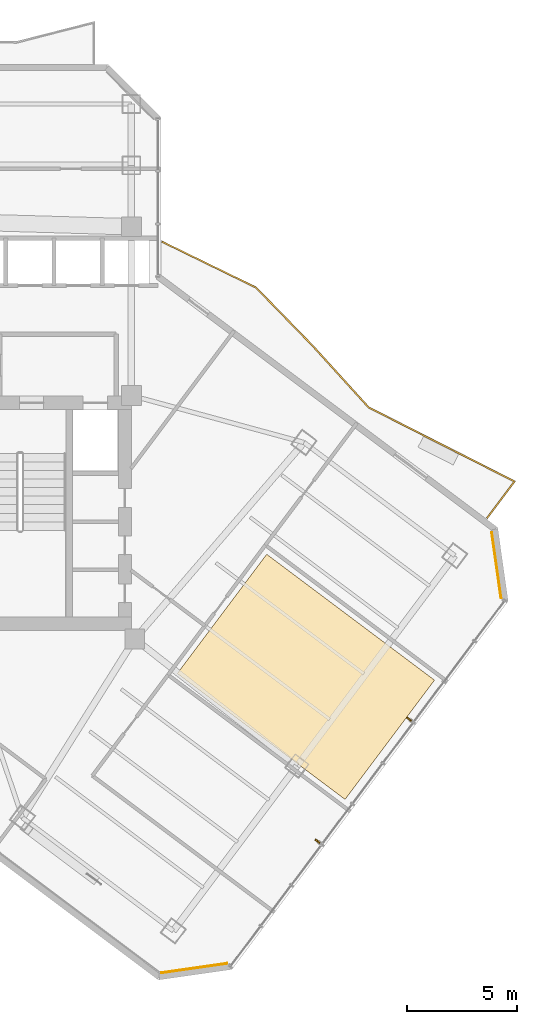
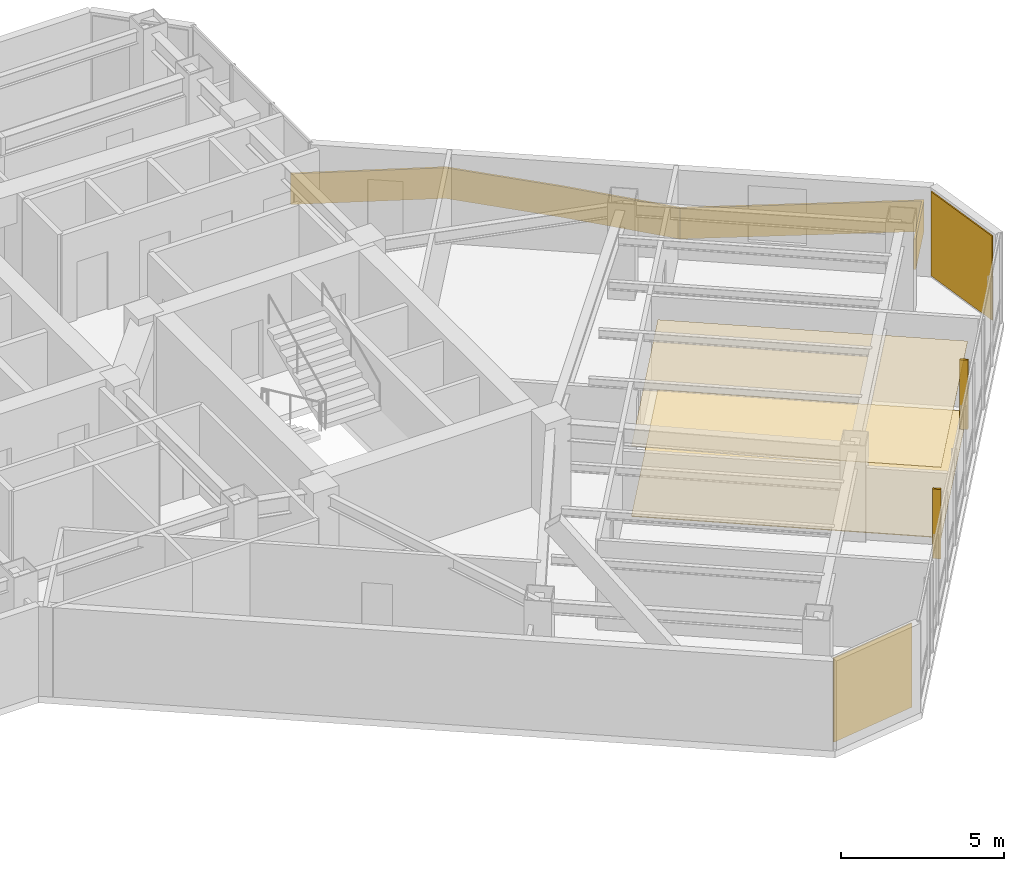
# One storey, part 27 of 28: 4 coverings, 2 shading devices, 1 railing.
"""IFC4 building model written with IfcOpenShell, lengths in metres."""

from ifc_helpers import new_model, si_unit, direction, frame, origin, origin_2d, place, context, subcontext, project, spatial, polyline, rectangle, outline, extrude, material, layer, layer_set, type_object, element, save


model = new_model("IFC4")

# Units and contexts
model_context = context("Model", 3, precision=1e-05, world=origin(), true_north=direction((0.0, 1.0)))
body_context = subcontext(model_context, "Body", "Model", "MODEL_VIEW")
ifc_project = project(units=[si_unit("LENGTHUNIT", "METRE"), si_unit("AREAUNIT", "SQUARE_METRE"), si_unit("VOLUMEUNIT", "CUBIC_METRE"), si_unit("PLANEANGLEUNIT", "RADIAN"), si_unit("MASSUNIT", "GRAM", prefix="KILO")], contexts=[model_context])

# Site, building, storey
site_placement = place(None, origin())
site = spatial("IfcSite", under=ifc_project, at=site_placement, CompositionType="ELEMENT")
building_placement = place(site_placement, origin())
building = spatial("IfcBuilding", under=site, at=building_placement, Name="Hatsunagi Terrace Concourse", CompositionType="ELEMENT")
storey_placement = place(building_placement, frame((0.0, 0.0, 160.050048828125)))
storey = spatial("IfcBuildingStorey", under=building, at=storey_placement, Name="L42", CompositionType="ELEMENT", Elevation=160.050048828125)

# Covering
ifc_material_1 = material(Name="Acoustic mineral board", Category="gypsum")
ifc_layer_1 = layer(ifc_material_1, 0.02001953125)
ifc_layer_set_1 = layer_set([ifc_layer_1], Name="AcousticMineralCeiling_20")
covering_type_1 = type_object("IfcCoveringType", Name="AcousticMineralCeiling_20", PredefinedType="CEILING", material=ifc_layer_set_1)
covering_1_placement = place(storey_placement, frame((0.0, 0.0, 2.6298828125)))
element("IfcCovering", 1, at=covering_1_placement, inside=storey, type_object=covering_type_1, Name="Suspended Ceiling L42-2", PredefinedType="CEILING", context=body_context, shape_type="SweptSolid", body=[
    extrude(outline(polyline([(57.47607421875, 22.318115234375), (49.820068359375, 28.06005859375), (45.739990234375, 22.6201171875), (53.39599609375, 16.8779296875), (57.47607421875, 22.318115234375)])), origin(), (0.0, 0.0, 1.0), 0.02001953125),
])

# Railing
ifc_material_2 = material(Name="Laminated Glass and Stainless Steel Guard", Category="steel")
ifc_layer_2 = layer(ifc_material_2, 0.070068359375)
ifc_layer_set_2 = layer_set([ifc_layer_2], Name="BalconyGlassGuardRail_1150")
railing_type = type_object("IfcRailingType", Name="BalconyGlassGuardRail_1150", PredefinedType="BALUSTRADE", material=ifc_layer_set_2)
railing_placement = place(storey_placement, origin())
element("IfcRailing", 2, at=railing_placement, inside=storey, type_object=railing_type, Name="Engawa Balcony Guard GRD-01 L42-BSE-1", PredefinedType="BALUSTRADE", context=body_context, shape_type="SweptSolid", body=[
    extrude(outline(polyline([(45.061279296875, 42.353515625), (45.03076171875, 42.29052734375), (49.30517578125, 40.205078125), (51.905517578125, 37.531982421875), (54.448486328125, 34.732666015625), (61.071044921875, 31.36962890625), (59.842041015625, 29.73095703125), (59.89794921875, 29.68896484375), (61.177001953125, 31.394287109375), (54.49169921875, 34.789306640625), (51.95654296875, 37.580078125), (49.3466796875, 40.2626953125), (45.061279296875, 42.353515625)])), origin(), (0.0, 0.0, 1.0), 1.14990234375),
])

# Covering
ifc_material_3 = material(Name="Granite stone paving", Category="masonry")
ifc_layer_3 = layer(ifc_material_3, 0.02490234375)
ifc_layer_set_3 = layer_set([ifc_layer_3], Name="GraniteStoneFlooring_25")
covering_type_2 = type_object("IfcCoveringType", Name="GraniteStoneFlooring_25", PredefinedType="FLOORING", material=ifc_layer_set_3)
covering_2_placement = place(storey_placement, origin())
element("IfcCovering", 3, at=covering_2_placement, inside=storey, type_object=covering_type_2, Name="Finished Flooring L42-2", PredefinedType="FLOORING", context=body_context, shape_type="SweptSolid", body=[
    extrude(outline(polyline([(57.47607421875, 22.318115234375), (49.820068359375, 28.06005859375), (45.739990234375, 22.6201171875), (53.39599609375, 16.8779296875), (57.47607421875, 22.318115234375)])), origin(), (0.0, 0.0, 1.0), 0.02490234375),
])

# Shading devices
ifc_material_4 = material(Name="Extruded Unglazed Terracotta Baguette", Category="masonry")
shading_device_type = type_object("IfcShadingDeviceType", Name="TerracottaFinScreen_260x70", PredefinedType="USERDEFINED", material=ifc_material_4)
for number, where, z_axis, x_axis, name in (
    (4, (56.31591796875, 20.5390625, 0.849853515625), (0.0, 0.0, 1.0), (-0.599969314634, -0.800023013105, 0.0), "Terracotta Baguette Fin Screen SCR-01"),
    (5, (52.139892578125, 14.968994140625, 0.849853515625), (0.0, 0.0, 1.0), (-0.599969314634, -0.800023013105, 0.0), "Terracotta Baguette Fin Screen SCR-01"),
):
    element("IfcShadingDevice", number, at=place(storey_placement, frame(where, z_axis=z_axis, x_axis=x_axis)), inside=storey, type_object=shading_device_type, Name=name, ObjectType="SUNSHADE", PredefinedType="USERDEFINED", context=body_context, shape_type="SweptSolid", body=[
        extrude(rectangle(XDim=0.070068359375, YDim=0.260009765625, at=origin_2d()), origin(), (0.0, 0.0, 1.0), 2.60009765625),
    ])

# Coverings
ifc_material_5 = material(Name="Unglazed Warm Terracotta Rainscreen Tile", Category="masonry")
ifc_layer_4 = layer(ifc_material_5, 0.044921875)
ifc_layer_set_4 = layer_set([ifc_layer_4], Name="TerracottaRainscreenCladding_45")
covering_type_3 = type_object("IfcCoveringType", Name="TerracottaRainscreenCladding_45", PredefinedType="CLADDING", material=ifc_layer_set_4)
for number, where, z_axis, x_axis, name in (
    (6, (60.301025390625, 27.55810546875, 0.10009765625), (0.0, 0.0, 1.0), (0.141250262458, -0.989973920543, 0.0), "Terracotta Rainscreen Cladding L42-02"),
    (7, (46.51806640625, 9.178955078125, 0.10009765625), (0.0, 0.0, 1.0), (-0.989973920543, -0.141250262458, 0.0), "Terracotta Rainscreen Cladding L42-04"),
):
    element("IfcCovering", number, at=place(storey_placement, frame(where, z_axis=z_axis, x_axis=x_axis)), inside=storey, type_object=covering_type_3, Name=name, PredefinedType="CLADDING", context=body_context, shape_type="SweptSolid", body=[
        extrude(rectangle(XDim=3.0380859375, YDim=0.044921875, at=origin_2d()), origin(), (0.0, 0.0, 1.0), 3.14990234375),
    ])

save(model, "model.ifc")
